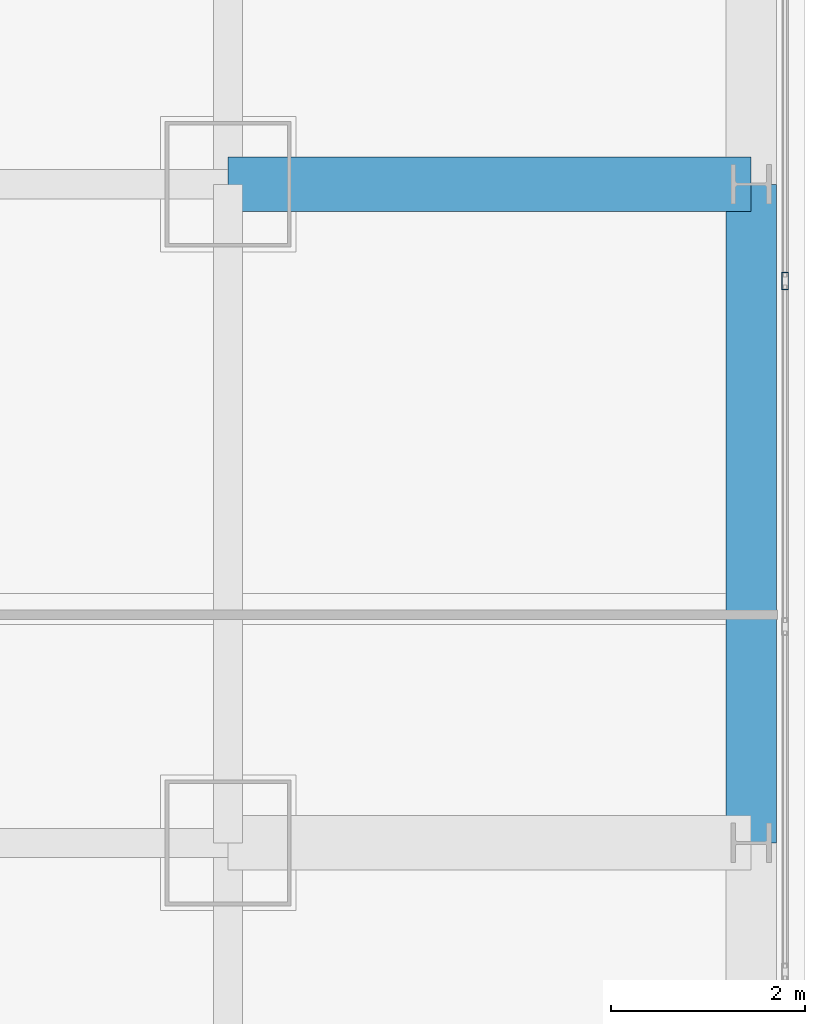
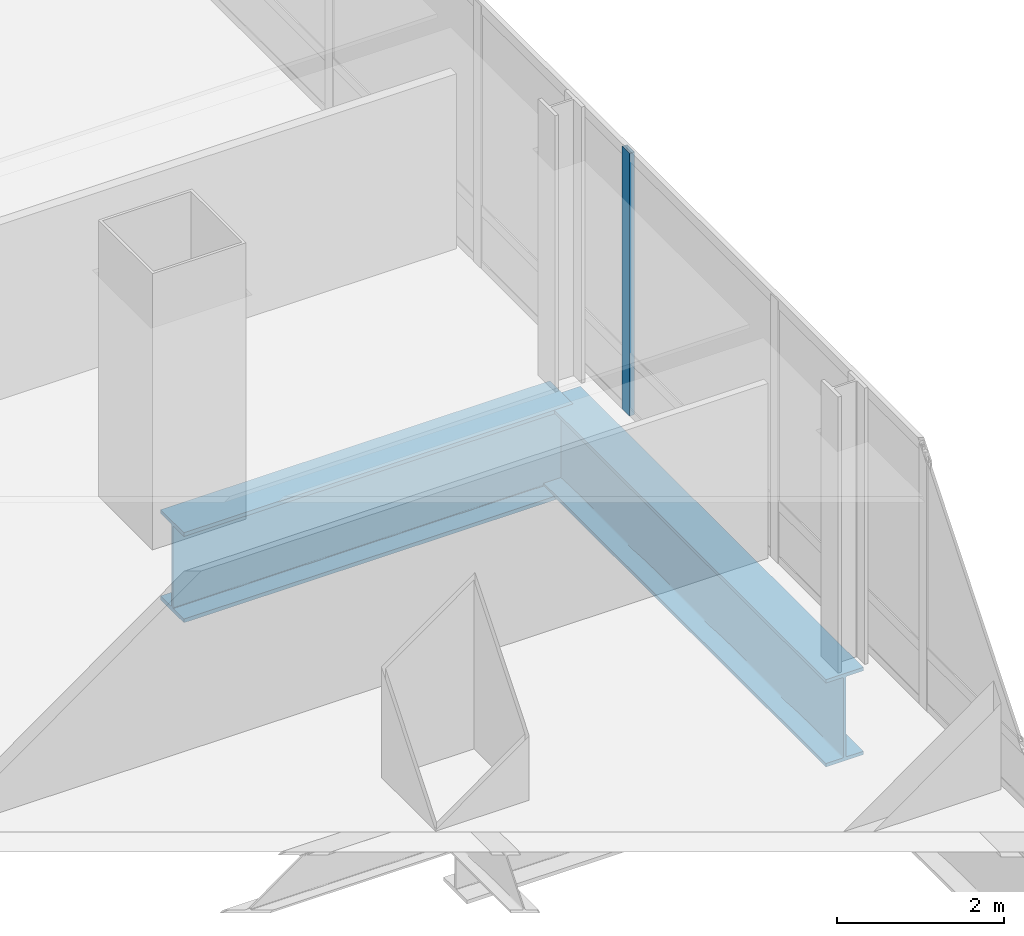
# One storey, part 19 of 42: 2 beams, 1 member, 1 element without a shape of its own.
"""IFC4 building model written with IfcOpenShell, lengths in metres."""

from ifc_helpers import new_model, si_unit, direction, frame, origin, origin_2d, place, context, subcontext, project, spatial, hollow_rectangle, i_section, extrude, material, material_profile, profile_set, type_object, element, aggregate, save


model = new_model("IFC4")

# Units and contexts
model_context = context("Model", 3, precision=1e-05, world=origin(), true_north=direction((0.0, 1.0)))
body_context = subcontext(model_context, "Body", "Model", "MODEL_VIEW")
ifc_project = project(units=[si_unit("LENGTHUNIT", "METRE"), si_unit("AREAUNIT", "SQUARE_METRE"), si_unit("VOLUMEUNIT", "CUBIC_METRE"), si_unit("PLANEANGLEUNIT", "RADIAN"), si_unit("MASSUNIT", "GRAM", prefix="KILO")], contexts=[model_context])

# Site, building, storey
site_placement = place(None, origin())
site = spatial("IfcSite", under=ifc_project, at=site_placement, CompositionType="ELEMENT")
building_placement = place(site_placement, origin())
building = spatial("IfcBuilding", under=site, at=building_placement, Name="Punatoya Terracotta Tower", CompositionType="ELEMENT")
storey_placement = place(building_placement, frame((0.0, 0.0, 259.5)))
storey = spatial("IfcBuildingStorey", under=building, at=storey_placement, Name="L61", CompositionType="ELEMENT", Elevation=259.5)

# Beams
ifc_material_1 = material(Name="Steel S460", Category="steel")
ifc_material_profile_1 = material_profile(ifc_material_1, i_section(OverallWidth=0.56005859375, OverallDepth=1.320068359375, WebThickness=0.035888671875, FlangeThickness=0.054931640625, FilletRadius=0.01806640625, at=origin_2d()))
ifc_profile_set_1 = profile_set([ifc_material_profile_1], Name="Steel S460")
beam_type_1 = type_object("IfcBeamType", Name="BM-TG-BLK", PredefinedType="BEAM", material=ifc_profile_set_1)
beam_1_placement = place(storey_placement, frame((19.10009765625, 3.39990234375, -0.860107421875), z_axis=(1.0, 0.0, 0.0), x_axis=(0.0, 1.0, 0.0)))
element("IfcBeam", 1, at=beam_1_placement, inside=storey, type_object=beam_type_1, Name="BM-L61-CANT-E3", PredefinedType="BEAM", context=body_context, shape_type="SweptSolid", body=[
    extrude(i_section(OverallWidth=0.56005859375, OverallDepth=1.320068359375, WebThickness=0.035888671875, FlangeThickness=0.054931640625, FilletRadius=0.01806640625, at=origin_2d()), origin(), (0.0, 0.0, 1.0), 5.39990234375),
])
ifc_material_profile_2 = material_profile(ifc_material_1, i_section(OverallWidth=0.52001953125, OverallDepth=1.280029296875, WebThickness=0.031982421875, FlangeThickness=0.050048828125, FilletRadius=0.01806640625, at=origin_2d()))
ifc_profile_set_2 = profile_set([ifc_material_profile_2], Name="Steel S460")
beam_type_2 = type_object("IfcBeamType", Name="BM-TG-NCK", PredefinedType="BEAM", material=ifc_profile_set_2)
beam_2_placement = place(storey_placement, frame((24.5, -3.39990234375, -0.840087890625), z_axis=(0.0, 1.0, 0.0), x_axis=(-1.0, 0.0, 0.0)))
element("IfcBeam", 2, at=beam_2_placement, inside=storey, type_object=beam_type_2, Name="BM-L61-PER-E2", PredefinedType="BEAM", context=body_context, shape_type="SweptSolid", body=[
    extrude(i_section(OverallWidth=0.52001953125, OverallDepth=1.280029296875, WebThickness=0.031982421875, FlangeThickness=0.050048828125, FilletRadius=0.01806640625, at=origin_2d()), origin(), (0.0, 0.0, 1.0), 6.7998046875),
])

# Curtain wall, member
ifc_material_2 = material(Name="Aluminium 6063-T6 + Double Low-E Glass", Category="aluminium")
curtain_wall_type = type_object("IfcCurtainWallType", Name="CW-M3", PredefinedType="NOTDEFINED", material=ifc_material_2)
curtain_wall_placement = place(storey_placement, origin())
curtain_wall = element("IfcCurtainWall", 3, at=curtain_wall_placement, inside=storey, type_object=curtain_wall_type, Name="L61 Curtain Wall CW-L61-E05-1", PredefinedType="NOTDEFINED")
ifc_material_3 = material(Name="Aluminium 6063-T6", Category="aluminium")
ifc_material_profile_3 = material_profile(ifc_material_3, hollow_rectangle(XDim=0.070068359375, YDim=0.179931640625, WallThickness=0.00390625, at=origin_2d()))
ifc_profile_set_3 = profile_set([ifc_material_profile_3], Name="Aluminium 6063-T6")
member_type = type_object("IfcMemberType", Name="CW-MUL-M3", PredefinedType="MULLION", material=ifc_profile_set_3)
member_placement = place(storey_placement, frame((24.85009765625, 2.39990234375, 0.0), z_axis=(0.0, 0.0, 1.0), x_axis=(1.0, 0.0, 0.0)))
member = element("IfcMember", 4, at=member_placement, type_object=member_type, Name="CW-L61-E05-1 Mullion 05", PredefinedType="MULLION", context=body_context, shape_type="SweptSolid", body=[
    extrude(hollow_rectangle(XDim=0.070068359375, YDim=0.179931640625, WallThickness=0.00390625, at=origin_2d()), origin(), (0.0, 0.0, 1.0), 3.85009765625),
])
aggregate(curtain_wall, [member])

save(model, "model.ifc")
